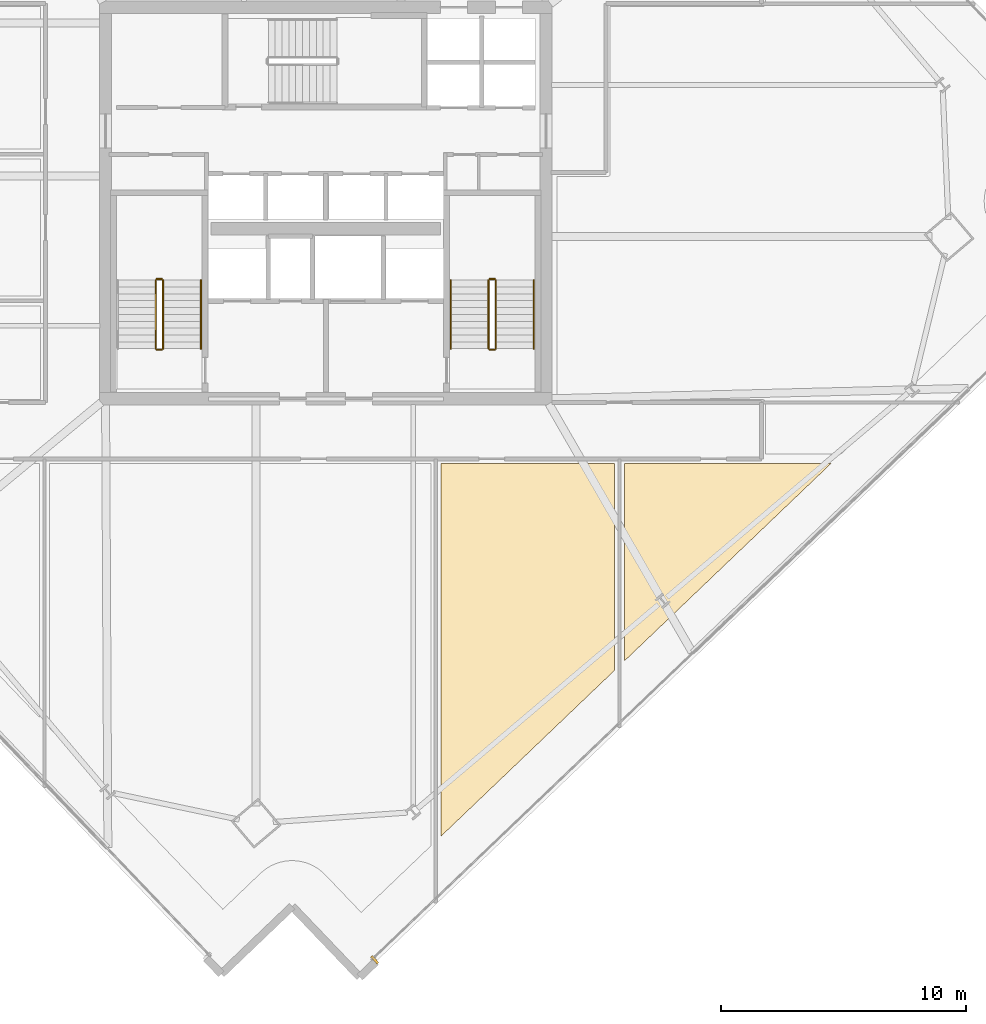
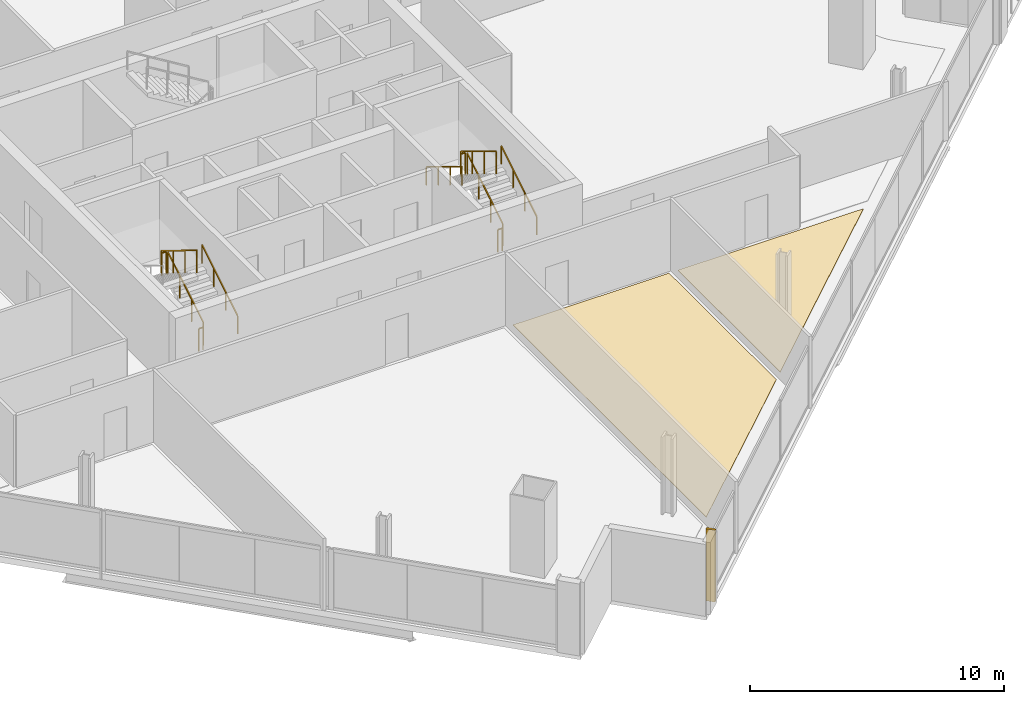
# One storey, part 30 of 33: 11 railings, 3 coverings.
"""IFC4 building model written with IfcOpenShell, lengths in metres."""

from ifc_helpers import new_model, si_unit, direction, frame, origin, origin_2d, place, context, subcontext, project, spatial, polyline, rectangle, outline, extrude, source, transform, mapped, material, layer, layer_set, type_object, element, save


model = new_model("IFC4")

# Units and contexts
model_context = context("Model", 3, precision=1e-05, world=origin(), true_north=direction((0.0, 1.0)))
body_context = subcontext(model_context, "Body", "Model", "MODEL_VIEW")
ifc_project = project(units=[si_unit("LENGTHUNIT", "METRE"), si_unit("AREAUNIT", "SQUARE_METRE"), si_unit("VOLUMEUNIT", "CUBIC_METRE"), si_unit("PLANEANGLEUNIT", "RADIAN"), si_unit("MASSUNIT", "GRAM", prefix="KILO")], contexts=[model_context])

# Site, building, storey
site_placement = place(None, origin())
site = spatial("IfcSite", under=ifc_project, at=site_placement, CompositionType="ELEMENT")
building_placement = place(site_placement, origin())
building = spatial("IfcBuilding", under=site, at=building_placement, Name="Haldenkirk Collegiate Tower", CompositionType="ELEMENT")
storey_placement = place(building_placement, frame((0.0, 0.0, 174.449951171875)))
storey = spatial("IfcBuildingStorey", under=building, at=storey_placement, Name="L43", CompositionType="ELEMENT", Elevation=174.449951171875)

# Coverings
ifc_material_1 = material(Name="Polished collegiate terrazzo", Category="concrete")
ifc_layer_1 = layer(ifc_material_1, 0.02490234375)
ifc_layer_set_1 = layer_set([ifc_layer_1], Name="Polished collegiate terrazzo")
covering_type_1 = type_object("IfcCoveringType", Name="COV-FLOOR-TERRAZZO", PredefinedType="FLOORING", material=ifc_layer_set_1)
covering_1_placement = place(storey_placement, origin())
element("IfcCovering", 1, at=covering_1_placement, inside=storey, type_object=covering_type_1, Name="L43 academic room finish 04", PredefinedType="FLOORING", context=body_context, shape_type="SweptSolid", body=[
    extrude(outline(polyline([(48.199951171875, 7.290771484375), (48.199951171875, 15.35009765625), (56.633544921875, 15.35009765625), (48.199951171875, 7.290771484375)])), origin(), (0.0, 0.0, 1.0), 0.025146484375),
])
ifc_material_2 = material(Name="Engineered collegiate oak acoustic flooring", Category="wood")
ifc_layer_2 = layer(ifc_material_2, 0.02197265625)
ifc_layer_set_2 = layer_set([ifc_layer_2], Name="Engineered collegiate oak acoustic flooring")
covering_type_2 = type_object("IfcCoveringType", Name="COV-FLOOR-TIMBER", PredefinedType="FLOORING", material=ifc_layer_set_2)
covering_2_placement = place(storey_placement, origin())
element("IfcCovering", 2, at=covering_2_placement, inside=storey, type_object=covering_type_2, Name="L43 academic room finish 03", PredefinedType="FLOORING", context=body_context, shape_type="SweptSolid", body=[
    extrude(outline(polyline([(40.699951171875, 0.12353515625), (40.699951171875, 15.35009765625), (47.800048828125, 15.35009765625), (47.800048828125, 6.908447265625), (40.699951171875, 0.12353515625)])), origin(), (0.0, 0.0, 1.0), 0.02197265625),
])

# Railings
ifc_material_3 = material(Name="Painted architectural tubular steel", Category="steel")
railing_type_1 = type_object("IfcRailingType", Name="RLG-STAIR-GUARD-1100", PredefinedType="BALUSTRADE", material=ifc_material_3)
railing_1_placement = place(storey_placement, frame((29.35009765625, 20.050048828125, 0.17041015625)))
element("IfcRailing", 3, at=railing_1_placement, inside=storey, type_object=railing_type_1, Name="L43 ST-1 stair guard 1", PredefinedType="BALUSTRADE", context=body_context, shape_type="SweptSolid", body=[
    extrude(rectangle(XDim=0.048095703125, YDim=0.048095703125, at=origin_2d()), frame((0.0, 0.0, 1.076171875), z_axis=(0.0, 0.854169791009, 0.51999420009), x_axis=(-1.0, 0.0, 0.0)), (0.0, 0.0, 1.0), 3.278076171875),
    extrude(rectangle(XDim=0.0419921875, YDim=0.0419921875, at=origin_2d()), origin(), (0.0, 0.0, 1.0), 1.052001953125),
    extrude(rectangle(XDim=0.0419921875, YDim=0.0419921875, at=origin_2d()), frame((0.0, 0.933349609375, 0.568115234375)), (0.0, 0.0, 1.0), 1.052001953125),
    extrude(rectangle(XDim=0.0419921875, YDim=0.0419921875, at=origin_2d()), frame((0.0, 1.86669921875, 1.136474609375)), (0.0, 0.0, 1.0), 1.052001953125),
    extrude(rectangle(XDim=0.0419921875, YDim=0.0419921875, at=origin_2d()), frame((0.0, 2.800048828125, 1.70458984375)), (0.0, 0.0, 1.0), 1.052001953125),
])
railing_2_placement = place(storey_placement, frame((29.300048828125, 22.89990234375, 1.875)))
element("IfcRailing", 4, at=railing_2_placement, inside=storey, type_object=railing_type_1, Name="L43 ST-1 stair guard 2", PredefinedType="BALUSTRADE", context=body_context, shape_type="SweptSolid", body=[
    extrude(rectangle(XDim=0.048095703125, YDim=0.048095703125, at=origin_2d()), frame((0.0, 0.0, 1.076171875), z_axis=(-1.0, 0.0, 0.0), x_axis=(0.0, -1.0, 0.0)), (0.0, 0.0, 1.0), 0.199951171875),
    extrude(rectangle(XDim=0.0419921875, YDim=0.0419921875, at=origin_2d()), origin(), (0.0, 0.0, 1.0), 1.052001953125),
    extrude(rectangle(XDim=0.0419921875, YDim=0.0419921875, at=origin_2d()), frame((-0.199951171875, 0.0, 0.0)), (0.0, 0.0, 1.0), 1.052001953125),
])
railing_3_placement = place(storey_placement, frame((29.050048828125, 22.85009765625, 2.04541015625)))
element("IfcRailing", 5, at=railing_3_placement, inside=storey, type_object=railing_type_1, Name="L43 ST-1 stair guard 3", PredefinedType="BALUSTRADE", context=body_context, shape_type="SweptSolid", body=[
    extrude(rectangle(XDim=0.048095703125, YDim=0.048095703125, at=origin_2d()), frame((0.0, 0.0, 1.076171875), z_axis=(0.0, -0.854169791009, 0.51999420009), x_axis=(1.0, 0.0, 0.0)), (0.0, 0.0, 1.0), 3.278076171875),
    extrude(rectangle(XDim=0.0419921875, YDim=0.0419921875, at=origin_2d()), origin(), (0.0, 0.0, 1.0), 1.052001953125),
    extrude(rectangle(XDim=0.0419921875, YDim=0.0419921875, at=origin_2d()), frame((0.0, -0.933349609375, 0.568115234375)), (0.0, 0.0, 1.0), 1.052001953125),
    extrude(rectangle(XDim=0.0419921875, YDim=0.0419921875, at=origin_2d()), frame((0.0, -1.86669921875, 1.136474609375)), (0.0, 0.0, 1.0), 1.052001953125),
    extrude(rectangle(XDim=0.0419921875, YDim=0.0419921875, at=origin_2d()), frame((0.0, -2.800048828125, 1.70458984375)), (0.0, 0.0, 1.0), 1.052001953125),
])
railing_4_placement = place(storey_placement, frame((29.300048828125, 20.0, 0.0)))
element("IfcRailing", 6, at=railing_4_placement, inside=storey, type_object=railing_type_1, Name="L43 ST-1 stair guard 4", PredefinedType="BALUSTRADE", context=body_context, shape_type="SweptSolid", body=[
    extrude(rectangle(XDim=0.048095703125, YDim=0.048095703125, at=origin_2d()), frame((0.0, 0.0, 1.076171875), z_axis=(-1.0, 0.0, 0.0), x_axis=(0.0, -1.0, 0.0)), (0.0, 0.0, 1.0), 0.199951171875),
    extrude(rectangle(XDim=0.0419921875, YDim=0.0419921875, at=origin_2d()), origin(), (0.0, 0.0, 1.0), 1.052001953125),
    extrude(rectangle(XDim=0.0419921875, YDim=0.0419921875, at=origin_2d()), frame((-0.199951171875, 0.0, 0.0)), (0.0, 0.0, 1.0), 1.052001953125),
])
railing_5_placement = place(storey_placement, frame((42.949951171875, 20.050048828125, 0.17041015625)))
element("IfcRailing", 7, at=railing_5_placement, inside=storey, type_object=railing_type_1, Name="L43 ST-2 stair guard 1", PredefinedType="BALUSTRADE", context=body_context, shape_type="SweptSolid", body=[
    extrude(rectangle(XDim=0.048095703125, YDim=0.048095703125, at=origin_2d()), frame((0.0, 0.0, 1.076171875), z_axis=(0.0, 0.854169791009, 0.51999420009), x_axis=(-1.0, 0.0, 0.0)), (0.0, 0.0, 1.0), 3.278076171875),
    extrude(rectangle(XDim=0.0419921875, YDim=0.0419921875, at=origin_2d()), origin(), (0.0, 0.0, 1.0), 1.052001953125),
    extrude(rectangle(XDim=0.0419921875, YDim=0.0419921875, at=origin_2d()), frame((0.0, 0.933349609375, 0.568115234375)), (0.0, 0.0, 1.0), 1.052001953125),
    extrude(rectangle(XDim=0.0419921875, YDim=0.0419921875, at=origin_2d()), frame((0.0, 1.86669921875, 1.136474609375)), (0.0, 0.0, 1.0), 1.052001953125),
    extrude(rectangle(XDim=0.0419921875, YDim=0.0419921875, at=origin_2d()), frame((0.0, 2.800048828125, 1.70458984375)), (0.0, 0.0, 1.0), 1.052001953125),
])
railing_6_placement = place(storey_placement, frame((42.89990234375, 22.89990234375, 1.875)))
element("IfcRailing", 8, at=railing_6_placement, inside=storey, type_object=railing_type_1, Name="L43 ST-2 stair guard 2", PredefinedType="BALUSTRADE", context=body_context, shape_type="SweptSolid", body=[
    extrude(rectangle(XDim=0.048095703125, YDim=0.048095703125, at=origin_2d()), frame((0.0, 0.0, 1.076171875), z_axis=(-1.0, 0.0, 0.0), x_axis=(0.0, -1.0, 0.0)), (0.0, 0.0, 1.0), 0.199951171875),
    extrude(rectangle(XDim=0.0419921875, YDim=0.0419921875, at=origin_2d()), origin(), (0.0, 0.0, 1.0), 1.052001953125),
    extrude(rectangle(XDim=0.0419921875, YDim=0.0419921875, at=origin_2d()), frame((-0.199951171875, 0.0, 0.0)), (0.0, 0.0, 1.0), 1.052001953125),
])
railing_7_placement = place(storey_placement, frame((42.64990234375, 22.85009765625, 2.04541015625)))
element("IfcRailing", 9, at=railing_7_placement, inside=storey, type_object=railing_type_1, Name="L43 ST-2 stair guard 3", PredefinedType="BALUSTRADE", context=body_context, shape_type="SweptSolid", body=[
    extrude(rectangle(XDim=0.048095703125, YDim=0.048095703125, at=origin_2d()), frame((0.0, 0.0, 1.076171875), z_axis=(0.0, -0.854169791009, 0.51999420009), x_axis=(1.0, 0.0, 0.0)), (0.0, 0.0, 1.0), 3.278076171875),
    extrude(rectangle(XDim=0.0419921875, YDim=0.0419921875, at=origin_2d()), origin(), (0.0, 0.0, 1.0), 1.052001953125),
    extrude(rectangle(XDim=0.0419921875, YDim=0.0419921875, at=origin_2d()), frame((0.0, -0.933349609375, 0.568115234375)), (0.0, 0.0, 1.0), 1.052001953125),
    extrude(rectangle(XDim=0.0419921875, YDim=0.0419921875, at=origin_2d()), frame((0.0, -1.86669921875, 1.136474609375)), (0.0, 0.0, 1.0), 1.052001953125),
    extrude(rectangle(XDim=0.0419921875, YDim=0.0419921875, at=origin_2d()), frame((0.0, -2.800048828125, 1.70458984375)), (0.0, 0.0, 1.0), 1.052001953125),
])
railing_8_placement = place(storey_placement, frame((42.89990234375, 20.0, 0.0)))
element("IfcRailing", 10, at=railing_8_placement, inside=storey, type_object=railing_type_1, Name="L43 ST-2 stair guard 4", PredefinedType="BALUSTRADE", context=body_context, shape_type="SweptSolid", body=[
    extrude(rectangle(XDim=0.048095703125, YDim=0.048095703125, at=origin_2d()), frame((0.0, 0.0, 1.076171875), z_axis=(-1.0, 0.0, 0.0), x_axis=(0.0, -1.0, 0.0)), (0.0, 0.0, 1.0), 0.199951171875),
    extrude(rectangle(XDim=0.0419921875, YDim=0.0419921875, at=origin_2d()), origin(), (0.0, 0.0, 1.0), 1.052001953125),
    extrude(rectangle(XDim=0.0419921875, YDim=0.0419921875, at=origin_2d()), frame((-0.199951171875, 0.0, 0.0)), (0.0, 0.0, 1.0), 1.052001953125),
])
railing_type_2 = type_object("IfcRailingType", Name="RLG-STAIR-HANDRAIL-900", PredefinedType="HANDRAIL", material=ifc_material_3)
for number, where, name in (
    (11, (30.89990234375, 20.050048828125, 0.17041015625), "L43 ST-1 stair handrail 1"),
    (12, (44.5, 20.050048828125, 0.17041015625), "L43 ST-2 stair handrail 1"),
):
    element("IfcRailing", number, at=place(storey_placement, frame(where)), inside=storey, type_object=railing_type_2, Name=name, PredefinedType="HANDRAIL", context=body_context, shape_type="SweptSolid", body=[
        extrude(rectangle(XDim=0.048095703125, YDim=0.048095703125, at=origin_2d()), frame((0.0, 0.0, 0.8759765625), z_axis=(0.0, 0.854169791009, 0.51999420009), x_axis=(-1.0, 0.0, 0.0)), (0.0, 0.0, 1.0), 3.278076171875),
        extrude(rectangle(XDim=0.0419921875, YDim=0.0419921875, at=origin_2d()), origin(), (0.0, 0.0, 1.0), 0.851806640625),
        extrude(rectangle(XDim=0.0419921875, YDim=0.0419921875, at=origin_2d()), frame((0.0, 0.933349609375, 0.568115234375)), (0.0, 0.0, 1.0), 0.851806640625),
        extrude(rectangle(XDim=0.0419921875, YDim=0.0419921875, at=origin_2d()), frame((0.0, 1.86669921875, 1.136474609375)), (0.0, 0.0, 1.0), 0.851806640625),
        extrude(rectangle(XDim=0.0419921875, YDim=0.0419921875, at=origin_2d()), frame((0.0, 2.800048828125, 1.70458984375)), (0.0, 0.0, 1.0), 0.851806640625),
    ])
railing_9_placement = place(storey_placement, frame((41.10009765625, 22.85009765625, 2.04541015625)))
element("IfcRailing", 13, at=railing_9_placement, inside=storey, type_object=railing_type_2, Name="L43 ST-2 stair handrail 2", PredefinedType="HANDRAIL", context=body_context, shape_type="SweptSolid", body=[
    extrude(rectangle(XDim=0.048095703125, YDim=0.048095703125, at=origin_2d()), frame((0.0, 0.0, 0.8759765625), z_axis=(0.0, -0.854169791009, 0.51999420009), x_axis=(1.0, 0.0, 0.0)), (0.0, 0.0, 1.0), 3.278076171875),
    extrude(rectangle(XDim=0.0419921875, YDim=0.0419921875, at=origin_2d()), origin(), (0.0, 0.0, 1.0), 0.851806640625),
    extrude(rectangle(XDim=0.0419921875, YDim=0.0419921875, at=origin_2d()), frame((0.0, -0.933349609375, 0.568115234375)), (0.0, 0.0, 1.0), 0.851806640625),
    extrude(rectangle(XDim=0.0419921875, YDim=0.0419921875, at=origin_2d()), frame((0.0, -1.86669921875, 1.136474609375)), (0.0, 0.0, 1.0), 0.851806640625),
    extrude(rectangle(XDim=0.0419921875, YDim=0.0419921875, at=origin_2d()), frame((0.0, -2.800048828125, 1.70458984375)), (0.0, 0.0, 1.0), 0.851806640625),
])

# Covering
ifc_material_4 = material(Name="Anodised architectural bronze aluminium", Category="aluminium")
ifc_layer_3 = layer(ifc_material_4, 0.06005859375)
ifc_layer_set_3 = layer_set([ifc_layer_3], Name="Anodised architectural bronze aluminium")
covering_type_3 = type_object("IfcCoveringType", Name="COV-CLAD-BRONZE-60", PredefinedType="CLADDING", material=ifc_layer_set_3)
shared_shape = source(origin(), body_context, "Body", "SweptSolid", [
    extrude(rectangle(XDim=0.10009765625, YDim=0.3798828125, at=origin_2d()), origin(), (0.0, 0.0, 1.0), 3.4599609375),
])
covering_3_placement = place(storey_placement, frame((37.99658203125, -4.922119140625, 0.0), z_axis=(0.0, 0.0, 1.0), x_axis=(-0.72296714591, -0.690882411077, 0.0)))
element("IfcCovering", 14, at=covering_3_placement, inside=storey, type_object=covering_type_3, Name="L43 recessed curtain-wall bronze jamb closure SJR", PredefinedType="CLADDING", context=body_context, shape_type="MappedRepresentation", body=[
    mapped(shared_shape, transform((0.0, 0.0, 0.0), x_axis=(1.0, 0.0, 0.0), y_axis=(0.0, 1.0, 0.0), z_axis=(0.0, 0.0, 1.0), scale=1.0)),
])

save(model, "model.ifc")
